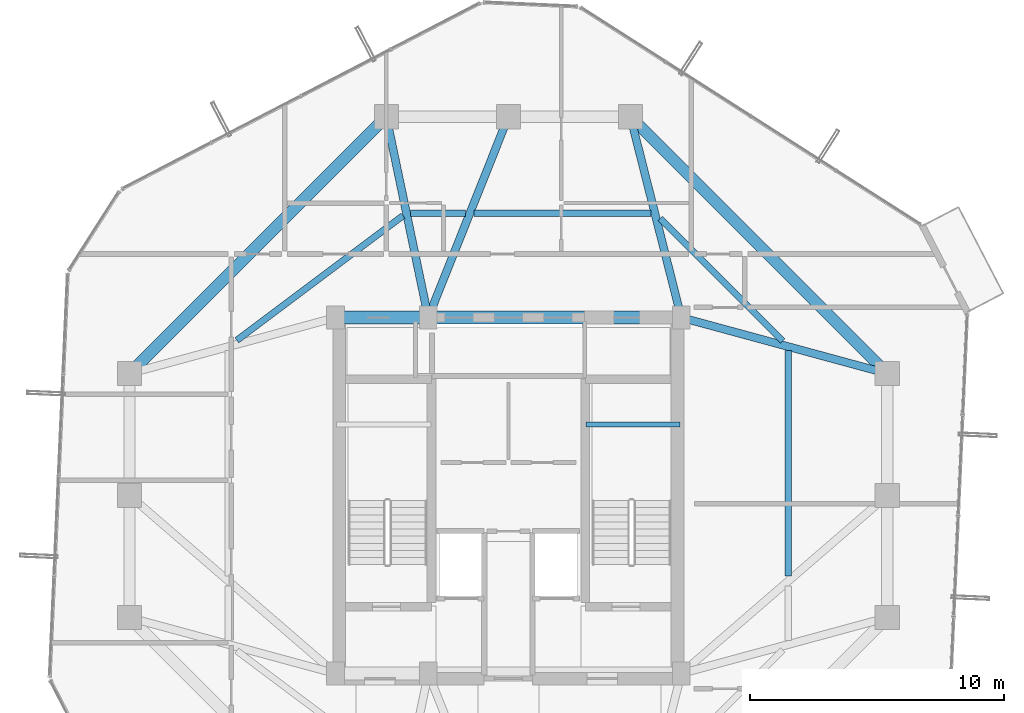
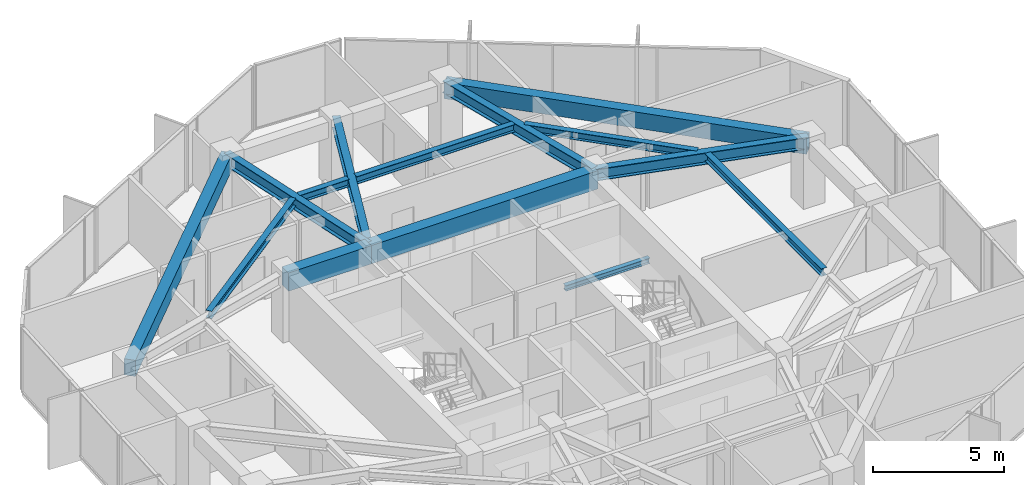
# One storey, part 14 of 29: 14 beams.
"""IFC4 building model written with IfcOpenShell, lengths in metres."""

from ifc_helpers import new_model, si_unit, direction, frame, origin, origin_2d, place, context, subcontext, project, spatial, rectangle, i_section, extrude, material, material_profile, profile_set, type_object, element, save


model = new_model("IFC4")

# Units and contexts
model_context = context("Model", 3, precision=1e-05, world=origin(), true_north=direction((0.0, 1.0)))
body_context = subcontext(model_context, "Body", "Model", "MODEL_VIEW")
ifc_project = project(units=[si_unit("LENGTHUNIT", "METRE"), si_unit("AREAUNIT", "SQUARE_METRE"), si_unit("VOLUMEUNIT", "CUBIC_METRE"), si_unit("PLANEANGLEUNIT", "RADIAN"), si_unit("MASSUNIT", "GRAM", prefix="KILO")], contexts=[model_context])

# Site, building, storey
site_placement = place(None, origin())
site = spatial("IfcSite", under=ifc_project, at=site_placement, CompositionType="ELEMENT")
building_placement = place(site_placement, origin())
building = spatial("IfcBuilding", under=site, at=building_placement, Name="Veraguas Prism Commons", CompositionType="ELEMENT")
storey_placement = place(building_placement, frame((0.0, 0.0, 215.64990234375)))
storey = spatial("IfcBuildingStorey", under=building, at=storey_placement, Name="L61", CompositionType="ELEMENT", Elevation=215.64990234375)

# Beams
ifc_material_1 = material(Name="Concrete C50/60", Category="concrete")
ifc_material_profile_1 = material_profile(ifc_material_1, rectangle(XDim=0.5, YDim=0.85009765625, at=origin_2d()), Name="RC500X850")
ifc_profile_set_1 = profile_set([ifc_material_profile_1], Name="Concrete C50/60")
beam_type_1 = type_object("IfcBeamType", Name="Core Coupling Beam RC 500x850", PredefinedType="BEAM", material=ifc_profile_set_1)
beam_1_placement = place(storey_placement, frame((17.199951171875, 31.0, 2.590087890625), z_axis=(1.0, 0.0, 0.0), x_axis=(0.0, 1.0, 0.0)))
element("IfcBeam", 1, at=beam_1_placement, inside=storey, type_object=beam_type_1, Name="Core Coupling Beam L61-CRN1", PredefinedType="BEAM", context=body_context, shape_type="SweptSolid", body=[
    extrude(rectangle(XDim=0.5, YDim=0.85009765625, at=origin_2d()), origin(), (0.0, 0.0, 1.0), 3.650146484375),
])
beam_2_placement = place(storey_placement, frame((20.85009765625, 31.0, 2.590087890625), z_axis=(1.0, 0.0, 0.0), x_axis=(0.0, 1.0, 0.0)))
element("IfcBeam", 2, at=beam_2_placement, inside=storey, type_object=beam_type_1, Name="Core Coupling Beam L61-CRN2", PredefinedType="BEAM", context=body_context, shape_type="SweptSolid", body=[
    extrude(rectangle(XDim=0.5, YDim=0.85009765625, at=origin_2d()), origin(), (0.0, 0.0, 1.0), 9.949951171875),
])
ifc_material_profile_2 = material_profile(ifc_material_1, rectangle(XDim=0.449951171875, YDim=0.75, at=origin_2d()), Name="RC450X750")
ifc_profile_set_2 = profile_set([ifc_material_profile_2], Name="Concrete C50/60")
beam_type_2 = type_object("IfcBeamType", Name="Perimeter Spandrel Upper RC 450x750", PredefinedType="SPANDREL", material=ifc_profile_set_2)
for number, where, z_axis, x_axis, name in (
    (3, (38.89990234375, 28.800048828125, 2.64013671875), (-0.707106781187, 0.707106781187, 0.0), (-0.707106781187, -0.707106781187, 0.0), "Perimeter Spandrel Beam L61-SP03"),
    (4, (19.199951171875, 38.89990234375, 2.64013671875), (-0.707106781187, -0.707106781187, 0.0), (0.707106781187, -0.707106781187, 0.0), "Perimeter Spandrel Beam L61-SP06"),
):
    element("IfcBeam", number, at=place(storey_placement, frame(where, z_axis=z_axis, x_axis=x_axis)), inside=storey, type_object=beam_type_2, Name=name, PredefinedType="SPANDREL", context=body_context, shape_type="SweptSolid", body=[
        extrude(rectangle(XDim=0.449951171875, YDim=0.75, at=origin_2d()), origin(), (0.0, 0.0, 1.0), 14.283447265625),
    ])
ifc_material_2 = material(Name="Steel ASTM A992 Grade 50", Category="steel")
ifc_material_profile_3 = material_profile(ifc_material_2, i_section(OverallWidth=0.202880859375, OverallDepth=0.251953125, WebThickness=0.008056640625, FlangeThickness=0.013427734375, at=origin_2d()), Name="W250X58")
ifc_profile_set_3 = profile_set([ifc_material_profile_3], Name="Steel ASTM A992 Grade 50")
beam_type_3 = type_object("IfcBeamType", Name="Structural Opening Lintel W250x58", PredefinedType="LINTEL", material=ifc_profile_set_3)
beam_3_placement = place(storey_placement, frame((27.050048828125, 26.800048828125, 1.299072265625), z_axis=(1.0, 0.0, 0.0), x_axis=(0.0, 1.0, 0.0)))
element("IfcBeam", 5, at=beam_3_placement, inside=storey, type_object=beam_type_3, Name="Stair ST-02 Half-Landing Support Beam L61-1", PredefinedType="LINTEL", context=body_context, shape_type="SweptSolid", body=[
    extrude(i_section(OverallWidth=0.202880859375, OverallDepth=0.251953125, WebThickness=0.008056640625, FlangeThickness=0.013427734375, at=origin_2d()), origin(), (0.0, 0.0, 1.0), 3.699951171875),
])
ifc_material_profile_4 = material_profile(ifc_material_2, i_section(OverallWidth=0.25390625, OverallDepth=0.35302734375, WebThickness=0.009521484375, FlangeThickness=0.016357421875, at=origin_2d()), Name="W360X91")
ifc_profile_set_4 = profile_set([ifc_material_profile_4], Name="Steel ASTM A992 Grade 50")
beam_type_4 = type_object("IfcBeamType", Name="Upper Floor Joist W360x91", PredefinedType="JOIST", material=ifc_profile_set_4)
beam_4_placement = place(storey_placement, frame((35.011962890625, 20.843017578125, 2.838623046875), z_axis=(0.0, 1.0, 0.0), x_axis=(-1.0, 0.0, 0.0)))
element("IfcBeam", 6, at=beam_4_placement, inside=storey, type_object=beam_type_4, Name="Composite Floor Joist L61-JS02", PredefinedType="JOIST", context=body_context, shape_type="SweptSolid", body=[
    extrude(i_section(OverallWidth=0.25390625, OverallDepth=0.35302734375, WebThickness=0.009521484375, FlangeThickness=0.016357421875, at=origin_2d()), origin(), (0.0, 0.0, 1.0), 8.85400390625),
])
beam_5_placement = place(storey_placement, frame((34.793701171875, 30.074462890625, 2.838623046875), z_axis=(-0.707124682851, 0.707088879069, 0.0), x_axis=(-0.707088879069, -0.707124682851, 0.0)))
element("IfcBeam", 7, at=beam_5_placement, inside=storey, type_object=beam_type_4, Name="Composite Floor Joist L61-JS03", PredefinedType="JOIST", context=body_context, shape_type="SweptSolid", body=[
    extrude(i_section(OverallWidth=0.25390625, OverallDepth=0.35302734375, WebThickness=0.009521484375, FlangeThickness=0.016357421875, at=origin_2d()), origin(), (0.0, 0.0, 1.0), 6.81884765625),
])
beam_6_placement = place(storey_placement, frame((29.601806640625, 35.10791015625, 2.838623046875), z_axis=(-1.0, 0.0, 0.0), x_axis=(0.0, -1.0, 0.0)))
element("IfcBeam", 8, at=beam_6_placement, inside=storey, type_object=beam_type_4, Name="Composite Floor Joist L61-JS04", PredefinedType="JOIST", context=body_context, shape_type="SweptSolid", body=[
    extrude(i_section(OverallWidth=0.25390625, OverallDepth=0.35302734375, WebThickness=0.009521484375, FlangeThickness=0.016357421875, at=origin_2d()), origin(), (0.0, 0.0, 1.0), 6.948486328125),
])
beam_7_placement = place(storey_placement, frame((22.32275390625, 35.10791015625, 2.838623046875), z_axis=(-1.0, 0.0, 0.0), x_axis=(0.0, -1.0, 0.0)))
element("IfcBeam", 9, at=beam_7_placement, inside=storey, type_object=beam_type_4, Name="Composite Floor Joist L61-JS05", PredefinedType="JOIST", context=body_context, shape_type="SweptSolid", body=[
    extrude(i_section(OverallWidth=0.25390625, OverallDepth=0.35302734375, WebThickness=0.009521484375, FlangeThickness=0.016357421875, at=origin_2d()), origin(), (0.0, 0.0, 1.0), 2.174072265625),
])
beam_8_placement = place(storey_placement, frame((19.8564453125, 35.00634765625, 2.838623046875), z_axis=(-0.800060962004, -0.599918708724, 0.0), x_axis=(0.599918708724, -0.800060962004, 0.0)))
element("IfcBeam", 10, at=beam_8_placement, inside=storey, type_object=beam_type_4, Name="Composite Floor Joist L61-JS06", PredefinedType="JOIST", context=body_context, shape_type="SweptSolid", body=[
    extrude(i_section(OverallWidth=0.25390625, OverallDepth=0.35302734375, WebThickness=0.009521484375, FlangeThickness=0.016357421875, at=origin_2d()), origin(), (0.0, 0.0, 1.0), 8.169189453125),
])
ifc_material_profile_5 = material_profile(ifc_material_2, i_section(OverallWidth=0.31103515625, OverallDepth=0.5458984375, WebThickness=0.0146484375, FlangeThickness=0.023681640625, at=origin_2d()), Name="W530X165")
ifc_profile_set_5 = profile_set([ifc_material_profile_5], Name="Steel ASTM A992 Grade 50")
beam_type_5 = type_object("IfcBeamType", Name="Zone 3 Radial Girder W530x165", PredefinedType="BEAM", material=ifc_profile_set_5)
beam_9_placement = place(storey_placement, frame((38.89990234375, 28.800048828125, 2.7421875), z_axis=(-0.965038506703, 0.262108146725, 0.0), x_axis=(-0.262108146725, -0.965038506703, 0.0)))
element("IfcBeam", 11, at=beam_9_placement, inside=storey, type_object=beam_type_5, Name="Radial Floor Girder L61-RD03", PredefinedType="BEAM", context=body_context, shape_type="SweptSolid", body=[
    extrude(i_section(OverallWidth=0.31103515625, OverallDepth=0.5458984375, WebThickness=0.0146484375, FlangeThickness=0.023681640625, at=origin_2d()), origin(), (0.0, 0.0, 1.0), 8.393310546875),
])
beam_10_placement = place(storey_placement, frame((28.800048828125, 38.89990234375, 2.7421875), z_axis=(0.245424718066, -0.969415652732, 0.0), x_axis=(0.969415652732, 0.245424718066, 0.0)))
element("IfcBeam", 12, at=beam_10_placement, inside=storey, type_object=beam_type_5, Name="Radial Floor Girder L61-RD04", PredefinedType="BEAM", context=body_context, shape_type="SweptSolid", body=[
    extrude(i_section(OverallWidth=0.31103515625, OverallDepth=0.5458984375, WebThickness=0.0146484375, FlangeThickness=0.023681640625, at=origin_2d()), origin(), (0.0, 0.0, 1.0), 8.149169921875),
])
beam_11_placement = place(storey_placement, frame((24.0, 38.89990234375, 2.7421875), z_axis=(-0.370370877803, -0.928883960931, 0.0), x_axis=(0.928883960931, -0.370370877803, 0.0)))
element("IfcBeam", 13, at=beam_11_placement, inside=storey, type_object=beam_type_5, Name="Radial Floor Girder L61-RD05", PredefinedType="BEAM", context=body_context, shape_type="SweptSolid", body=[
    extrude(i_section(OverallWidth=0.31103515625, OverallDepth=0.5458984375, WebThickness=0.0146484375, FlangeThickness=0.023681640625, at=origin_2d()), origin(), (0.0, 0.0, 1.0), 8.504638671875),
])
beam_12_placement = place(storey_placement, frame((19.199951171875, 38.89990234375, 2.7421875), z_axis=(0.204468851168, -0.978873070884, 0.0), x_axis=(0.978873070884, 0.204468851168, 0.0)))
element("IfcBeam", 14, at=beam_12_placement, inside=storey, type_object=beam_type_5, Name="Radial Floor Girder L61-RD06", PredefinedType="BEAM", context=body_context, shape_type="SweptSolid", body=[
    extrude(i_section(OverallWidth=0.31103515625, OverallDepth=0.5458984375, WebThickness=0.0146484375, FlangeThickness=0.023681640625, at=origin_2d()), origin(), (0.0, 0.0, 1.0), 8.0703125),
])

save(model, "model.ifc")
